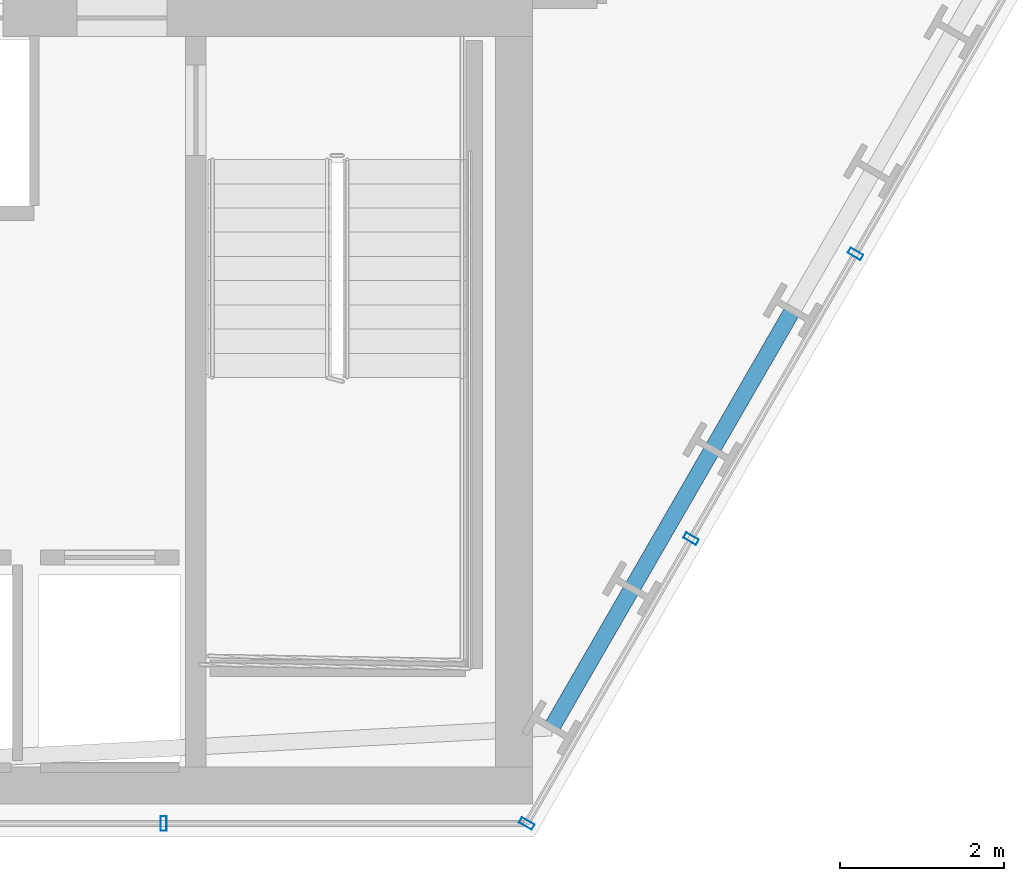
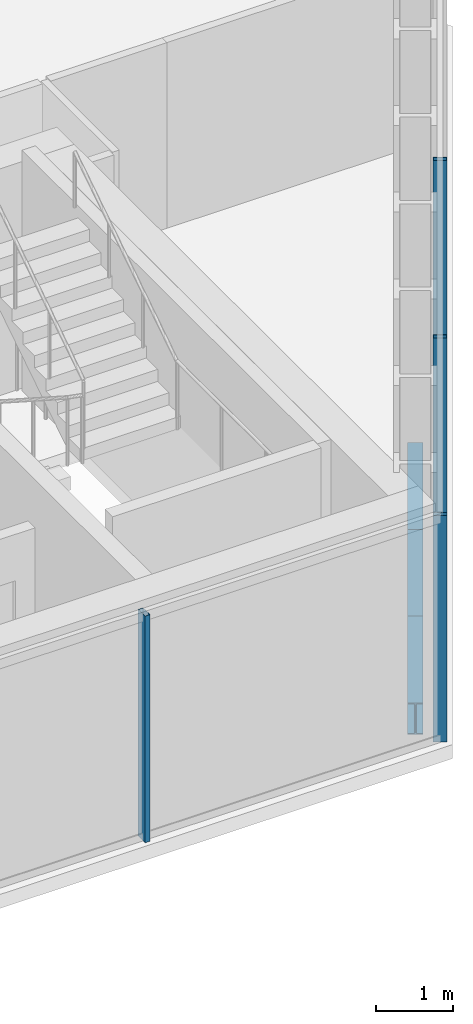
# One storey, part 14 of 32: 4 members, 3 beams, 2 elements without a shape of their own.
"""IFC4 building model written with IfcOpenShell, lengths in metres."""

from ifc_helpers import new_model, si_unit, direction, frame, origin, origin_2d, place, context, subcontext, project, spatial, hollow_rectangle, i_section, extrude, material, layer, layer_set, material_profile, profile_set, type_object, element, aggregate, save


model = new_model("IFC4")

# Units and contexts
model_context = context("Model", 3, precision=1e-05, world=origin(), true_north=direction((0.0, 1.0)))
body_context = subcontext(model_context, "Body", "Model", "MODEL_VIEW")
ifc_project = project(units=[si_unit("LENGTHUNIT", "METRE"), si_unit("AREAUNIT", "SQUARE_METRE"), si_unit("VOLUMEUNIT", "CUBIC_METRE"), si_unit("PLANEANGLEUNIT", "RADIAN"), si_unit("MASSUNIT", "GRAM", prefix="KILO")], contexts=[model_context])

# Site, building, storey
site_placement = place(None, origin())
site = spatial("IfcSite", under=ifc_project, at=site_placement, CompositionType="ELEMENT")
building_placement = place(site_placement, origin())
building = spatial("IfcBuilding", under=site, at=building_placement, Name="Ndaravel Arena Tower", CompositionType="ELEMENT")
storey_placement = place(building_placement, frame((0.0, 0.0, 51.199951171875)))
storey = spatial("IfcBuildingStorey", under=building, at=storey_placement, Name="L10", CompositionType="ELEMENT", Elevation=51.199951171875)

# Beams
ifc_material_1 = material(Name="Steel S355", Category="steel")
ifc_material_profile_1 = material_profile(ifc_material_1, i_section(OverallWidth=0.199951171875, OverallDepth=0.5, WebThickness=0.01025390625, FlangeThickness=0.01611328125, FilletRadius=0.02099609375, at=origin_2d()), Name="IPE 500")
ifc_profile_set_1 = profile_set([ifc_material_profile_1], Name="Steel S355")
beam_type = type_object("IfcBeamType", Name="BM-SPAN-IPE500", PredefinedType="SPANDREL", material=ifc_profile_set_1)
beam_1_placement = place(storey_placement, frame((57.784423828125, 6.327392578125, -0.469970703125), z_axis=(0.49994920724, 0.866054727012, 0.0), x_axis=(-0.866054727012, 0.49994920724, 0.0)))
element("IfcBeam", 1, at=beam_1_placement, inside=storey, type_object=beam_type, Name="L10 Perimeter Spandrel Beam SP-02", PredefinedType="SPANDREL", context=body_context, shape_type="SweptSolid", body=[
    extrude(i_section(OverallWidth=0.199951171875, OverallDepth=0.5, WebThickness=0.01025390625, FlangeThickness=0.01611328125, FilletRadius=0.02099609375, at=origin_2d()), origin(), (0.0, 0.0, 1.0), 1.957275390625),
])
beam_2_placement = place(storey_placement, frame((58.762939453125, 8.0224609375, -0.469970703125), z_axis=(0.500096775829, 0.865969523024, 0.0), x_axis=(-0.865969523024, 0.500096775829, 0.0)))
element("IfcBeam", 2, at=beam_2_placement, inside=storey, type_object=beam_type, Name="L10 Perimeter Spandrel Beam SP-03", PredefinedType="SPANDREL", context=body_context, shape_type="SweptSolid", body=[
    extrude(i_section(OverallWidth=0.199951171875, OverallDepth=0.5, WebThickness=0.01025390625, FlangeThickness=0.01611328125, FilletRadius=0.02099609375, at=origin_2d()), origin(), (0.0, 0.0, 1.0), 1.95703125),
])
beam_3_placement = place(storey_placement, frame((59.74169921875, 9.71728515625, -0.469970703125), z_axis=(0.49994920724, 0.866054727012, 0.0), x_axis=(-0.866054727012, 0.49994920724, 0.0)))
element("IfcBeam", 3, at=beam_3_placement, inside=storey, type_object=beam_type, Name="L10 Perimeter Spandrel Beam SP-04", PredefinedType="SPANDREL", context=body_context, shape_type="SweptSolid", body=[
    extrude(i_section(OverallWidth=0.199951171875, OverallDepth=0.5, WebThickness=0.01025390625, FlangeThickness=0.01611328125, FilletRadius=0.02099609375, at=origin_2d()), origin(), (0.0, 0.0, 1.0), 1.957275390625),
])

# Curtain wall, member
ifc_material_2 = material(Name="Aluminium", Category="aluminium")
ifc_layer_1 = layer(ifc_material_2, 0.179931640625)
ifc_layer_set_1 = layer_set([ifc_layer_1], Name="Aluminium")
curtain_wall_type_1 = type_object("IfcCurtainWallType", Name="CW-SYS-03", PredefinedType="NOTDEFINED", material=ifc_layer_set_1)
curtain_wall_1_placement = place(storey_placement, origin())
curtain_wall_1 = element("IfcCurtainWall", 4, at=curtain_wall_1_placement, inside=storey, type_object=curtain_wall_type_1, Name="L10 Faceted Crystal Curtain Wall CW-L10-E01", PredefinedType="NOTDEFINED")
ifc_material_3 = material(Name="Aluminium", Category="aluminium")
ifc_material_profile_2 = material_profile(ifc_material_3, hollow_rectangle(XDim=0.074951171875, YDim=0.179931640625, WallThickness=0.00390625, at=origin_2d()), Name="CW MULLION 75x180x4")
ifc_profile_set_2 = profile_set([ifc_material_profile_2], Name="Aluminium")
member_type = type_object("IfcMemberType", Name="MEM-CW-MUL180", PredefinedType="MULLION", material=ifc_profile_set_2)
member_1_placement = place(storey_placement, frame((53.05712890625, 5.159912109375, 0.0), z_axis=(0.0, 0.0, 1.0), x_axis=(1.0, 0.0, 0.0)))
member_1 = element("IfcMember", 5, at=member_1_placement, type_object=member_type, Name="CW-L10-E01 Mullion 06", PredefinedType="MULLION", context=body_context, shape_type="SweptSolid", body=[
    extrude(hollow_rectangle(XDim=0.074951171875, YDim=0.179931640625, WallThickness=0.00390625, at=origin_2d()), origin(), (0.0, 0.0, 1.0), 3.580078125),
])
aggregate(curtain_wall_1, [member_1])

# Curtain wall, members
ifc_material_4 = material(Name="Aluminium", Category="aluminium")
ifc_layer_2 = layer(ifc_material_4, 0.179931640625)
ifc_layer_set_2 = layer_set([ifc_layer_2], Name="Aluminium")
curtain_wall_type_2 = type_object("IfcCurtainWallType", Name="CW-SYS-01", PredefinedType="NOTDEFINED", material=ifc_layer_set_2)
curtain_wall_2_placement = place(storey_placement, origin())
curtain_wall_2 = element("IfcCurtainWall", 6, at=curtain_wall_2_placement, inside=storey, type_object=curtain_wall_type_2, Name="L10 Faceted Crystal Curtain Wall CW-L10-E02", PredefinedType="NOTDEFINED")
member_2_placement = place(storey_placement, frame((57.47998046875, 5.159912109375, 0.0), z_axis=(0.0, 0.0, 1.0), x_axis=(0.5, 0.866025403784, 0.0)))
member_2 = element("IfcMember", 7, at=member_2_placement, type_object=member_type, Name="CW-L10-E02 Mullion 00", PredefinedType="MULLION", context=body_context, shape_type="SweptSolid", body=[
    extrude(hollow_rectangle(XDim=0.074951171875, YDim=0.179931640625, WallThickness=0.00390625, at=origin_2d()), origin(), (0.0, 0.0, 1.0), 3.580078125),
])
member_3_placement = place(storey_placement, frame((59.483154296875, 8.6298828125, 0.0), z_axis=(0.0, 0.0, 1.0), x_axis=(0.5, 0.866025403784, 0.0)))
member_3 = element("IfcMember", 8, at=member_3_placement, type_object=member_type, Name="CW-L10-E02 Mullion 01", PredefinedType="MULLION", context=body_context, shape_type="SweptSolid", body=[
    extrude(hollow_rectangle(XDim=0.074951171875, YDim=0.179931640625, WallThickness=0.00390625, at=origin_2d()), origin(), (0.0, 0.0, 1.0), 3.580078125),
])
member_4_placement = place(storey_placement, frame((61.486572265625, 12.099853515625, 0.0), z_axis=(0.0, 0.0, 1.0), x_axis=(0.5, 0.866025403784, 0.0)))
member_4 = element("IfcMember", 9, at=member_4_placement, type_object=member_type, Name="CW-L10-E02 Mullion 02", PredefinedType="MULLION", context=body_context, shape_type="SweptSolid", body=[
    extrude(hollow_rectangle(XDim=0.074951171875, YDim=0.179931640625, WallThickness=0.00390625, at=origin_2d()), origin(), (0.0, 0.0, 1.0), 3.580078125),
])
aggregate(curtain_wall_2, [member_2, member_3, member_4])

save(model, "model.ifc")
